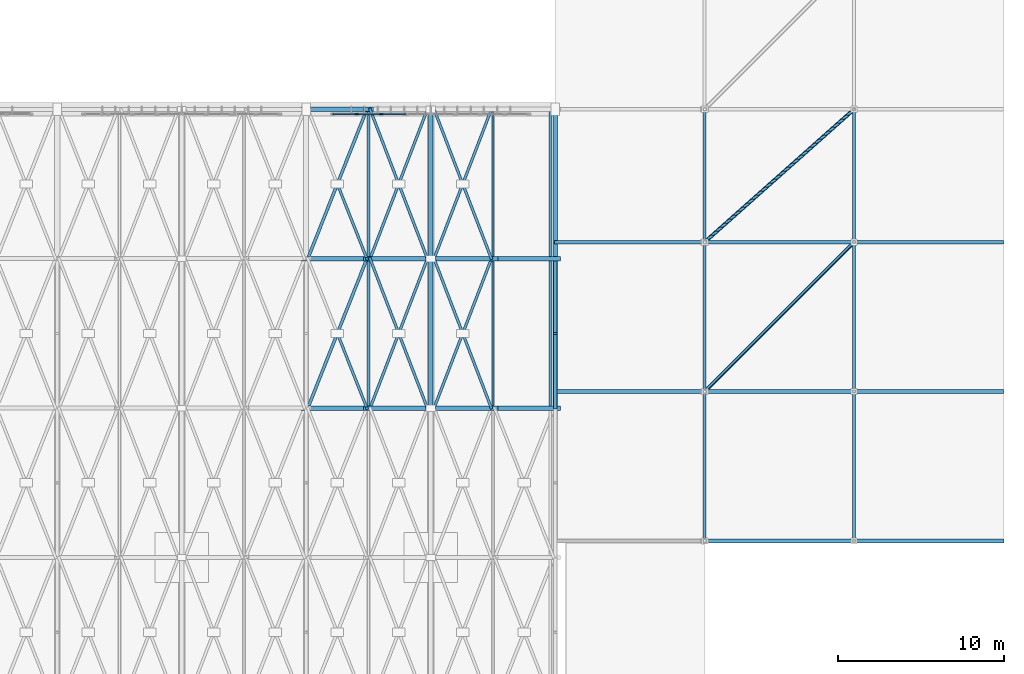
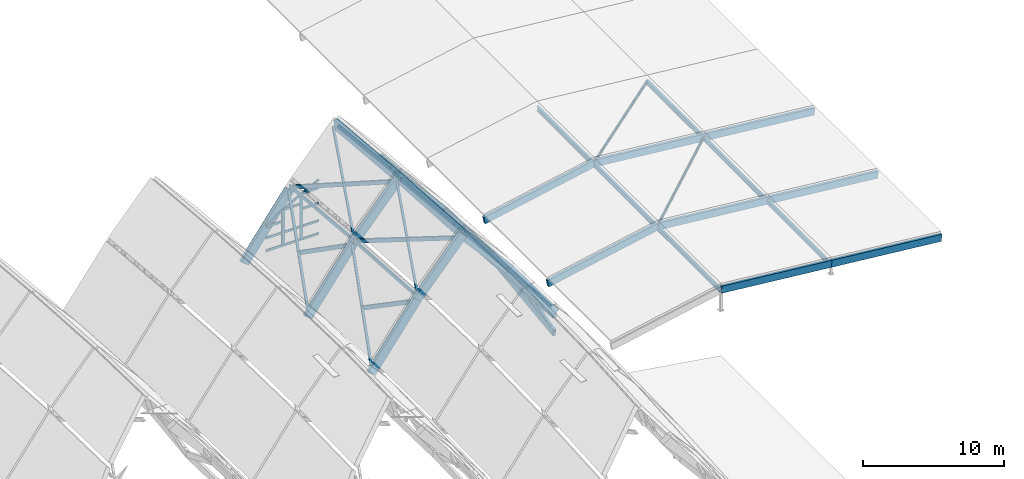
# One storey, part 52 of 93: 41 members, 27 beams, 1 element without a shape of its own.
"""IFC4 building model written with IfcOpenShell, lengths in metres."""

from ifc_helpers import new_model, si_unit, direction, frame, origin, origin_2d, place, context, subcontext, project, spatial, rectangle, hollow_circle, i_section, extrude, material, material_profile, profile_set, type_object, element, aggregate, save


model = new_model("IFC4")

# Units and contexts
model_context = context("Model", 3, precision=1e-05, world=origin(), true_north=direction((0.0, 1.0)))
body_context = subcontext(model_context, "Body", "Model", "MODEL_VIEW")
ifc_project = project(units=[si_unit("LENGTHUNIT", "METRE"), si_unit("AREAUNIT", "SQUARE_METRE"), si_unit("VOLUMEUNIT", "CUBIC_METRE"), si_unit("PLANEANGLEUNIT", "RADIAN"), si_unit("MASSUNIT", "GRAM", prefix="KILO")], contexts=[model_context])

# Site, building, storey
site_placement = place(None, origin())
site = spatial("IfcSite", under=ifc_project, at=site_placement, CompositionType="ELEMENT")
building_placement = place(site_placement, origin())
building = spatial("IfcBuilding", under=site, at=building_placement, Name="Vourika Railside Aquatics Centre", CompositionType="ELEMENT")
storey_placement = place(building_placement, frame((0.0, 0.0, 21.89990234375)))
storey = spatial("IfcBuildingStorey", under=building, at=storey_placement, Name="Roof", CompositionType="ELEMENT", Elevation=21.89990234375)

# Beams
ifc_material_1 = material(Name="Glulam GL32h", Category="wood")
ifc_material_profile_1 = material_profile(ifc_material_1, rectangle(XDim=0.260009765625, YDim=0.760009765625, at=origin_2d()), Name="GL32h 260x760")
ifc_profile_set_1 = profile_set([ifc_material_profile_1], Name="Glulam GL32h")
beam_type_1 = type_object("IfcBeamType", Name="BM-GL-ARCH-260x760", PredefinedType="BEAM", material=ifc_profile_set_1)
beam_1_placement = place(storey_placement, frame((126.0, 48.0, -10.314208984375), z_axis=(0.592401494544, 0.0, 0.805642891896), x_axis=(0.0, 1.0, 0.0)))
element("IfcBeam", 1, at=beam_1_placement, inside=storey, type_object=beam_type_1, Name="Pointed Glulam Vault Arch Rib GAR-0221", PredefinedType="BEAM", context=body_context, shape_type="SweptSolid", body=[
    extrude(rectangle(XDim=0.260009765625, YDim=0.760009765625, at=origin_2d()), origin(), (0.0, 0.0, 1.0), 6.330078125),
])
for number, where, z_axis, x_axis, name in (
    (2, (129.75, 48.0, -5.21435546875), (0.657258623263, 0.0, 0.75366511273), (0.0, 1.0, 0.0), "Pointed Glulam Vault Arch Rib GAR-0222"),
    (3, (133.5, 48.0, -0.914306640625), (0.657258623263, 0.0, -0.75366511273), (0.0, 1.0, 0.0), "Pointed Glulam Vault Arch Rib GAR-0223"),
):
    element("IfcBeam", number, at=place(storey_placement, frame(where, z_axis=z_axis, x_axis=x_axis)), inside=storey, type_object=beam_type_1, Name=name, PredefinedType="BEAM", context=body_context, shape_type="SweptSolid", body=[
        extrude(rectangle(XDim=0.260009765625, YDim=0.760009765625, at=origin_2d()), origin(), (0.0, 0.0, 1.0), 5.70556640625),
    ])
beam_2_placement = place(storey_placement, frame((137.25, 48.0, -5.21435546875), z_axis=(0.592401494544, 0.0, -0.805642891896), x_axis=(0.0, 1.0, 0.0)))
element("IfcBeam", 4, at=beam_2_placement, inside=storey, type_object=beam_type_1, Name="Pointed Glulam Vault Arch Rib GAR-0224", PredefinedType="BEAM", context=body_context, shape_type="SweptSolid", body=[
    extrude(rectangle(XDim=0.260009765625, YDim=0.760009765625, at=origin_2d()), origin(), (0.0, 0.0, 1.0), 6.330078125),
])
beam_3_placement = place(storey_placement, frame((126.0, 57.0, -10.89990234375), z_axis=(0.592383087934, 0.0, 0.805656426233), x_axis=(0.0, 1.0, 0.0)))
element("IfcBeam", 5, at=beam_3_placement, inside=storey, type_object=beam_type_1, Name="Pointed Glulam Vault Arch Rib GAR-0225", PredefinedType="BEAM", context=body_context, shape_type="SweptSolid", body=[
    extrude(rectangle(XDim=0.260009765625, YDim=0.760009765625, at=origin_2d()), origin(), (0.0, 0.0, 1.0), 6.330322265625),
])
for number, where, z_axis, x_axis, name in (
    (6, (129.75, 57.0, -5.7998046875), (0.657279819973, 0.0, 0.753646626912), (0.0, 1.0, 0.0), "Pointed Glulam Vault Arch Rib GAR-0226"),
    (7, (133.5, 57.0, -1.5), (0.657279819973, 0.0, -0.753646626912), (0.0, 1.0, 0.0), "Pointed Glulam Vault Arch Rib GAR-0227"),
):
    element("IfcBeam", number, at=place(storey_placement, frame(where, z_axis=z_axis, x_axis=x_axis)), inside=storey, type_object=beam_type_1, Name=name, PredefinedType="BEAM", context=body_context, shape_type="SweptSolid", body=[
        extrude(rectangle(XDim=0.260009765625, YDim=0.760009765625, at=origin_2d()), origin(), (0.0, 0.0, 1.0), 5.705322265625),
    ])
for number, where, z_axis, x_axis, name in (
    (8, (137.25, 57.0, -5.7998046875), (0.592383087934, 0.0, -0.805656426233), (0.0, 1.0, 0.0), "Pointed Glulam Vault Arch Rib GAR-0228"),
    (9, (126.0, 66.0, -11.699951171875), (0.592383087934, 0.0, 0.805656426233), (0.0, 1.0, 0.0), "Pointed Glulam Vault Arch Rib GAR-0229"),
):
    element("IfcBeam", number, at=place(storey_placement, frame(where, z_axis=z_axis, x_axis=x_axis)), inside=storey, type_object=beam_type_1, Name=name, PredefinedType="BEAM", context=body_context, shape_type="SweptSolid", body=[
        extrude(rectangle(XDim=0.260009765625, YDim=0.760009765625, at=origin_2d()), origin(), (0.0, 0.0, 1.0), 6.330322265625),
    ])
ifc_material_profile_2 = material_profile(ifc_material_1, rectangle(XDim=0.219970703125, YDim=0.60009765625, at=origin_2d()), Name="GL32h 220x600")
ifc_profile_set_2 = profile_set([ifc_material_profile_2], Name="Glulam GL32h")
beam_type_2 = type_object("IfcBeamType", Name="BM-GL-FOY-220x600", PredefinedType="BEAM", material=ifc_profile_set_2)
for number, where, z_axis, x_axis, name in (
    (10, (150.0, 40.0, -6.599853515625), (0.995035586592, 0.0, -0.0995197539), (0.0, 1.0, 0.0), "Civic Foyer Canopy Glulam Rib FCR-0260"),
    (11, (159.0, 40.0, -7.5), (0.995038259148, 0.0, -0.099493029059), (0.0, 1.0, 0.0), "Civic Foyer Canopy Glulam Rib FCR-0261"),
):
    element("IfcBeam", number, at=place(storey_placement, frame(where, z_axis=z_axis, x_axis=x_axis)), inside=storey, type_object=beam_type_2, Name=name, PredefinedType="BEAM", context=body_context, shape_type="SweptSolid", body=[
        extrude(rectangle(XDim=0.219970703125, YDim=0.60009765625, at=origin_2d()), origin(), (0.0, 0.0, 1.0), 9.044921875),
    ])
beam_4_placement = place(storey_placement, frame((141.0, 49.0, -8.39990234375), z_axis=(0.980579652604, 0.0, 0.196121250506), x_axis=(0.0, 1.0, 0.0)))
element("IfcBeam", 12, at=beam_4_placement, inside=storey, type_object=beam_type_2, Name="Civic Foyer Canopy Glulam Rib FCR-0262", PredefinedType="BEAM", context=body_context, shape_type="SweptSolid", body=[
    extrude(rectangle(XDim=0.219970703125, YDim=0.60009765625, at=origin_2d()), origin(), (0.0, 0.0, 1.0), 9.17822265625),
])
for number, where, z_axis, x_axis, name in (
    (13, (150.0, 49.0, -6.599853515625), (0.995035586592, 0.0, -0.0995197539), (0.0, 1.0, 0.0), "Civic Foyer Canopy Glulam Rib FCR-0263"),
    (14, (159.0, 49.0, -7.5), (0.995038259148, 0.0, -0.099493029059), (0.0, 1.0, 0.0), "Civic Foyer Canopy Glulam Rib FCR-0264"),
):
    element("IfcBeam", number, at=place(storey_placement, frame(where, z_axis=z_axis, x_axis=x_axis)), inside=storey, type_object=beam_type_2, Name=name, PredefinedType="BEAM", context=body_context, shape_type="SweptSolid", body=[
        extrude(rectangle(XDim=0.219970703125, YDim=0.60009765625, at=origin_2d()), origin(), (0.0, 0.0, 1.0), 9.044921875),
    ])
beam_5_placement = place(storey_placement, frame((141.0, 58.0, -8.39990234375), z_axis=(0.980579652604, 0.0, 0.196121250506), x_axis=(0.0, 1.0, 0.0)))
element("IfcBeam", 15, at=beam_5_placement, inside=storey, type_object=beam_type_2, Name="Civic Foyer Canopy Glulam Rib FCR-0265", PredefinedType="BEAM", context=body_context, shape_type="SweptSolid", body=[
    extrude(rectangle(XDim=0.219970703125, YDim=0.60009765625, at=origin_2d()), origin(), (0.0, 0.0, 1.0), 9.17822265625),
])
for number, where, z_axis, x_axis, name in (
    (16, (150.0, 58.0, -6.599853515625), (0.995035586592, 0.0, -0.0995197539), (0.0, 1.0, 0.0), "Civic Foyer Canopy Glulam Rib FCR-0266"),
    (17, (159.0, 58.0, -7.5), (0.995038259148, 0.0, -0.099493029059), (0.0, 1.0, 0.0), "Civic Foyer Canopy Glulam Rib FCR-0267"),
):
    element("IfcBeam", number, at=place(storey_placement, frame(where, z_axis=z_axis, x_axis=x_axis)), inside=storey, type_object=beam_type_2, Name=name, PredefinedType="BEAM", context=body_context, shape_type="SweptSolid", body=[
        extrude(rectangle(XDim=0.219970703125, YDim=0.60009765625, at=origin_2d()), origin(), (0.0, 0.0, 1.0), 9.044921875),
    ])
ifc_material_profile_3 = material_profile(ifc_material_1, rectangle(XDim=0.280029296875, YDim=0.840087890625, at=origin_2d()), Name="GL32h 280x840")
ifc_profile_set_3 = profile_set([ifc_material_profile_3], Name="Glulam GL32h")
beam_type_3 = type_object("IfcBeamType", Name="BM-GL-RIDGE-280x840", PredefinedType="BEAM", material=ifc_profile_set_3)
beam_6_placement = place(storey_placement, frame((133.5, 48.0, -0.914306640625), z_axis=(0.0, 0.997889191565, -0.064939674766), x_axis=(-1.0, 0.0, 0.0)))
element("IfcBeam", 18, at=beam_6_placement, inside=storey, type_object=beam_type_3, Name="Vault Pointed Ridge Beam GRB-0237", PredefinedType="BEAM", context=body_context, shape_type="SweptSolid", body=[
    extrude(rectangle(XDim=0.280029296875, YDim=0.840087890625, at=origin_2d()), origin(), (0.0, 0.0, 1.0), 9.01904296875),
])
beam_7_placement = place(storey_placement, frame((133.5, 57.0, -1.5), z_axis=(0.0, 0.996074546839, -0.088518343518), x_axis=(-1.0, 0.0, 0.0)))
element("IfcBeam", 19, at=beam_7_placement, inside=storey, type_object=beam_type_3, Name="Vault Pointed Ridge Beam GRB-0238", PredefinedType="BEAM", context=body_context, shape_type="SweptSolid", body=[
    extrude(rectangle(XDim=0.280029296875, YDim=0.840087890625, at=origin_2d()), origin(), (0.0, 0.0, 1.0), 9.035400390625),
])
ifc_material_profile_4 = material_profile(ifc_material_1, rectangle(XDim=0.300048828125, YDim=0.89990234375, at=origin_2d()), Name="GL32h 300x900")
ifc_profile_set_4 = profile_set([ifc_material_profile_4], Name="Glulam GL32h")
beam_type_4 = type_object("IfcBeamType", Name="BM-GL-VAL-300x900", PredefinedType="BEAM", material=ifc_profile_set_4)
beam_8_placement = place(storey_placement, frame((141.0, 48.0, -10.314208984375), z_axis=(0.0, 0.997889191565, -0.064939674766), x_axis=(-1.0, 0.0, 0.0)))
element("IfcBeam", 20, at=beam_8_placement, inside=storey, type_object=beam_type_4, Name="Vault Valley Arch Rib VTR-047", PredefinedType="BEAM", context=body_context, shape_type="SweptSolid", body=[
    extrude(rectangle(XDim=0.300048828125, YDim=0.89990234375, at=origin_2d()), origin(), (0.0, 0.0, 1.0), 9.01904296875),
])
beam_9_placement = place(storey_placement, frame((141.0, 57.0, -10.89990234375), z_axis=(0.0, 0.996072164085, -0.088545151956), x_axis=(-1.0, 0.0, 0.0)))
element("IfcBeam", 21, at=beam_9_placement, inside=storey, type_object=beam_type_4, Name="Vault Valley Arch Rib VTR-048", PredefinedType="BEAM", context=body_context, shape_type="SweptSolid", body=[
    extrude(rectangle(XDim=0.300048828125, YDim=0.89990234375, at=origin_2d()), origin(), (0.0, 0.0, 1.0), 9.035400390625),
])
ifc_material_2 = material(Name="Steel S355J2", Category="steel")
ifc_material_profile_5 = material_profile(ifc_material_2, i_section(OverallWidth=0.179931640625, OverallDepth=0.39990234375, WebThickness=0.008544921875, FlangeThickness=0.013427734375, at=origin_2d()), Name="IPE 400")
ifc_profile_set_5 = profile_set([ifc_material_profile_5], Name="Steel S355J2")
beam_type_5 = type_object("IfcBeamType", Name="BM-STL-IPE400", PredefinedType="BEAM", material=ifc_profile_set_5)
for number, where, z_axis, x_axis, name in (
    (22, (150.0, 40.0, -6.699951171875), (0.0, 1.0, 0.0), (-1.0, 0.0, 0.0), "Foyer Canopy Longitudinal Purlin Beam FLB-150-1"),
    (23, (159.0, 40.0, -7.599853515625), (0.0, 1.0, 0.0), (-1.0, 0.0, 0.0), "Foyer Canopy Longitudinal Purlin Beam FLB-159-1"),
    (24, (150.0, 49.0, -6.699951171875), (0.0, 1.0, 0.0), (-1.0, 0.0, 0.0), "Foyer Canopy Longitudinal Purlin Beam FLB-150-2"),
    (25, (159.0, 49.0, -7.599853515625), (0.0, 1.0, 0.0), (-1.0, 0.0, 0.0), "Foyer Canopy Longitudinal Purlin Beam FLB-159-2"),
):
    element("IfcBeam", number, at=place(storey_placement, frame(where, z_axis=z_axis, x_axis=x_axis)), inside=storey, type_object=beam_type_5, Name=name, PredefinedType="BEAM", context=body_context, shape_type="SweptSolid", body=[
        extrude(i_section(OverallWidth=0.179931640625, OverallDepth=0.39990234375, WebThickness=0.008544921875, FlangeThickness=0.013427734375, at=origin_2d()), origin(), (0.0, 0.0, 1.0), 9.0),
    ])
for number, where, z_axis, x_axis, name in (
    (26, (150.0, 58.0, -6.699951171875), (0.0, 1.0, 0.0), (-1.0, 0.0, 0.0), "Foyer Canopy Longitudinal Purlin Beam FLB-150-3"),
    (27, (159.0, 58.0, -7.599853515625), (0.0, 1.0, 0.0), (-1.0, 0.0, 0.0), "Foyer Canopy Longitudinal Purlin Beam FLB-159-3"),
):
    element("IfcBeam", number, at=place(storey_placement, frame(where, z_axis=z_axis, x_axis=x_axis)), inside=storey, type_object=beam_type_5, Name=name, PredefinedType="BEAM", context=body_context, shape_type="SweptSolid", body=[
        extrude(i_section(OverallWidth=0.179931640625, OverallDepth=0.39990234375, WebThickness=0.008544921875, FlangeThickness=0.013427734375, at=origin_2d()), origin(), (0.0, 0.0, 1.0), 8.0),
    ])

# Curtain wall, members
ifc_material_3 = material(Name="Anodized thermally broken aluminium", Category="aluminium")
curtain_wall_type = type_object("IfcCurtainWallType", Name="CW-VLTN1", PredefinedType="NOTDEFINED", material=ifc_material_3)
curtain_wall_placement = place(storey_placement, origin())
curtain_wall = element("IfcCurtainWall", 28, at=curtain_wall_placement, inside=storey, type_object=curtain_wall_type, Name="North Courtyard Pointed-Arch Curtain Wall Bay 7", PredefinedType="NOTDEFINED")
ifc_material_4 = material(Name="Anodized aluminium mullion", Category="aluminium")
ifc_material_profile_6 = material_profile(ifc_material_4, rectangle(XDim=0.0849609375, YDim=0.25, at=origin_2d()), Name="ALU-M 85x250")
ifc_profile_set_6 = profile_set([ifc_material_profile_6], Name="Anodized aluminium mullion")
member_type_1 = type_object("IfcMemberType", Name="CWM-VLTN1", PredefinedType="MULLION", material=ifc_profile_set_6)
member_1_placement = place(storey_placement, frame((130.52490234375, 65.719970703125, -11.099853515625), z_axis=(0.0, 0.0, 1.0), x_axis=(0.0, -1.0, 0.0)))
member_1 = element("IfcMember", 29, at=member_1_placement, type_object=member_type_1, Name="CW01 arch mullion 7", PredefinedType="MULLION", context=body_context, shape_type="SweptSolid", body=[
    extrude(rectangle(XDim=0.0849609375, YDim=0.25, at=origin_2d()), origin(), (0.0, 0.0, 1.0), 4.009033203125),
])
member_2_placement = place(storey_placement, frame((129.03759765625, 65.719970703125, -11.099853515625), z_axis=(0.0, 0.0, 1.0), x_axis=(0.0, -1.0, 0.0)))
member_2 = element("IfcMember", 30, at=member_2_placement, type_object=member_type_1, Name="CW01 arch mullion 8", PredefinedType="MULLION", context=body_context, shape_type="SweptSolid", body=[
    extrude(rectangle(XDim=0.0849609375, YDim=0.25, at=origin_2d()), origin(), (0.0, 0.0, 1.0), 3.1259765625),
])
ifc_material_5 = material(Name="Anodized aluminium transom", Category="aluminium")
ifc_material_profile_7 = material_profile(ifc_material_5, rectangle(XDim=0.0849609375, YDim=0.195068359375, at=origin_2d()), Name="ALU-T 85x195")
ifc_profile_set_7 = profile_set([ifc_material_profile_7], Name="Anodized aluminium transom")
member_type_2 = type_object("IfcMemberType", Name="CWT-VLTN1", PredefinedType="USERDEFINED", material=ifc_profile_set_7)
member_3_placement = place(storey_placement, frame((131.969970703125, 65.719970703125, -11.057373046875), z_axis=(-1.0, 0.0, 0.0), x_axis=(0.0, -1.0, 0.0)))
member_3 = element("IfcMember", 31, at=member_3_placement, type_object=member_type_2, Name="CW01 transom 6.1", ObjectType="TRANSOM", PredefinedType="USERDEFINED", context=body_context, shape_type="SweptSolid", body=[
    extrude(rectangle(XDim=0.0849609375, YDim=0.195068359375, at=origin_2d()), origin(), (0.0, 0.0, 1.0), 1.402587890625),
])
member_4_placement = place(storey_placement, frame((131.969970703125, 65.719970703125, -9.949951171875), z_axis=(-1.0, 0.0, 0.0), x_axis=(0.0, -1.0, 0.0)))
member_4 = element("IfcMember", 32, at=member_4_placement, type_object=member_type_2, Name="CW01 transom 6.2", ObjectType="TRANSOM", PredefinedType="USERDEFINED", context=body_context, shape_type="SweptSolid", body=[
    extrude(rectangle(XDim=0.0849609375, YDim=0.195068359375, at=origin_2d()), origin(), (0.0, 0.0, 1.0), 1.402587890625),
])
member_5_placement = place(storey_placement, frame((131.969970703125, 65.719970703125, -8.449951171875), z_axis=(-1.0, 0.0, 0.0), x_axis=(0.0, -1.0, 0.0)))
member_5 = element("IfcMember", 33, at=member_5_placement, type_object=member_type_2, Name="CW01 transom 6.3", ObjectType="TRANSOM", PredefinedType="USERDEFINED", context=body_context, shape_type="SweptSolid", body=[
    extrude(rectangle(XDim=0.0849609375, YDim=0.195068359375, at=origin_2d()), origin(), (0.0, 0.0, 1.0), 1.402587890625),
])
member_6_placement = place(storey_placement, frame((131.969970703125, 65.719970703125, -7.109375), z_axis=(-1.0, 0.0, 0.0), x_axis=(0.0, -1.0, 0.0)))
member_6 = element("IfcMember", 34, at=member_6_placement, type_object=member_type_2, Name="CW01 transom 6.4", ObjectType="TRANSOM", PredefinedType="USERDEFINED", context=body_context, shape_type="SweptSolid", body=[
    extrude(rectangle(XDim=0.0849609375, YDim=0.195068359375, at=origin_2d()), origin(), (0.0, 0.0, 1.0), 1.402587890625),
])
member_7_placement = place(storey_placement, frame((131.969970703125, 65.719970703125, -6.410400390625), z_axis=(-0.895018412541, 0.0, -0.44602919323), x_axis=(0.0, -1.0, 0.0)))
member_7 = element("IfcMember", 35, at=member_7_placement, type_object=member_type_2, Name="CW01 arch chord transom 6", ObjectType="TRANSOM", PredefinedType="USERDEFINED", context=body_context, shape_type="SweptSolid", body=[
    extrude(rectangle(XDim=0.0849609375, YDim=0.195068359375, at=origin_2d()), origin(), (0.0, 0.0, 1.0), 1.567138671875),
])
member_8_placement = place(storey_placement, frame((130.482421875, 65.719970703125, -11.057373046875), z_axis=(-1.0, 0.0, 0.0), x_axis=(0.0, -1.0, 0.0)))
member_8 = element("IfcMember", 36, at=member_8_placement, type_object=member_type_2, Name="CW01 transom 7.1", ObjectType="TRANSOM", PredefinedType="USERDEFINED", context=body_context, shape_type="SweptSolid", body=[
    extrude(rectangle(XDim=0.0849609375, YDim=0.195068359375, at=origin_2d()), origin(), (0.0, 0.0, 1.0), 1.40234375),
])
member_9_placement = place(storey_placement, frame((130.482421875, 65.719970703125, -9.949951171875), z_axis=(-1.0, 0.0, 0.0), x_axis=(0.0, -1.0, 0.0)))
member_9 = element("IfcMember", 37, at=member_9_placement, type_object=member_type_2, Name="CW01 transom 7.2", ObjectType="TRANSOM", PredefinedType="USERDEFINED", context=body_context, shape_type="SweptSolid", body=[
    extrude(rectangle(XDim=0.0849609375, YDim=0.195068359375, at=origin_2d()), origin(), (0.0, 0.0, 1.0), 1.40234375),
])
member_10_placement = place(storey_placement, frame((130.482421875, 65.719970703125, -7.989501953125), z_axis=(-1.0, 0.0, 0.0), x_axis=(0.0, -1.0, 0.0)))
member_10 = element("IfcMember", 38, at=member_10_placement, type_object=member_type_2, Name="CW01 transom 7.3", ObjectType="TRANSOM", PredefinedType="USERDEFINED", context=body_context, shape_type="SweptSolid", body=[
    extrude(rectangle(XDim=0.0849609375, YDim=0.195068359375, at=origin_2d()), origin(), (0.0, 0.0, 1.0), 1.40234375),
])
member_11_placement = place(storey_placement, frame((130.482421875, 65.719970703125, -7.156494140625), z_axis=(-0.859756166629, 0.0, -0.510704742433), x_axis=(0.0, -1.0, 0.0)))
member_11 = element("IfcMember", 39, at=member_11_placement, type_object=member_type_2, Name="CW01 arch chord transom 7", ObjectType="TRANSOM", PredefinedType="USERDEFINED", context=body_context, shape_type="SweptSolid", body=[
    extrude(rectangle(XDim=0.0849609375, YDim=0.195068359375, at=origin_2d()), origin(), (0.0, 0.0, 1.0), 1.631103515625),
])
member_12_placement = place(storey_placement, frame((128.9951171875, 65.719970703125, -11.057373046875), z_axis=(-1.0, 0.0, 0.0), x_axis=(0.0, -1.0, 0.0)))
member_12 = element("IfcMember", 40, at=member_12_placement, type_object=member_type_2, Name="CW01 transom 8.1", ObjectType="TRANSOM", PredefinedType="USERDEFINED", context=body_context, shape_type="SweptSolid", body=[
    extrude(rectangle(XDim=0.0849609375, YDim=0.195068359375, at=origin_2d()), origin(), (0.0, 0.0, 1.0), 1.360107421875),
])
member_13_placement = place(storey_placement, frame((128.9951171875, 65.719970703125, -9.949951171875), z_axis=(-1.0, 0.0, 0.0), x_axis=(0.0, -1.0, 0.0)))
member_13 = element("IfcMember", 41, at=member_13_placement, type_object=member_type_2, Name="CW01 transom 8.2", ObjectType="TRANSOM", PredefinedType="USERDEFINED", context=body_context, shape_type="SweptSolid", body=[
    extrude(rectangle(XDim=0.0849609375, YDim=0.195068359375, at=origin_2d()), origin(), (0.0, 0.0, 1.0), 1.360107421875),
])
member_14_placement = place(storey_placement, frame((128.9951171875, 65.719970703125, -8.98046875), z_axis=(-1.0, 0.0, 0.0), x_axis=(0.0, -1.0, 0.0)))
member_14 = element("IfcMember", 42, at=member_14_placement, type_object=member_type_2, Name="CW01 transom 8.3", ObjectType="TRANSOM", PredefinedType="USERDEFINED", context=body_context, shape_type="SweptSolid", body=[
    extrude(rectangle(XDim=0.0849609375, YDim=0.195068359375, at=origin_2d()), origin(), (0.0, 0.0, 1.0), 1.360107421875),
])
member_15_placement = place(storey_placement, frame((128.9951171875, 65.719970703125, -8.04443359375), z_axis=(-0.823770019809, 0.0, -0.566924117025), x_axis=(0.0, -1.0, 0.0)))
member_15 = element("IfcMember", 43, at=member_15_placement, type_object=member_type_2, Name="CW01 arch chord transom 8", ObjectType="TRANSOM", PredefinedType="USERDEFINED", context=body_context, shape_type="SweptSolid", body=[
    extrude(rectangle(XDim=0.0849609375, YDim=0.195068359375, at=origin_2d()), origin(), (0.0, 0.0, 1.0), 1.651123046875),
])
aggregate(curtain_wall, [member_1, member_2, member_3, member_4, member_5, member_6, member_7, member_8, member_9, member_10, member_11, member_12, member_13, member_14, member_15])

# Members
ifc_material_profile_8 = material_profile(ifc_material_1, rectangle(XDim=0.219970703125, YDim=0.60009765625, at=origin_2d()), Name="GL32h 220x600")
ifc_profile_set_8 = profile_set([ifc_material_profile_8], Name="Glulam GL32h")
member_type_3 = type_object("IfcMemberType", Name="MEM-GL-CHORD", PredefinedType="CHORD", material=ifc_profile_set_8)
member_16_placement = place(storey_placement, frame((141.0, 48.0, -12.064208984375), z_axis=(0.0, 0.991735627786, 0.128298264131), x_axis=(-1.0, 0.0, 0.0)))
element("IfcMember", 44, at=member_16_placement, inside=storey, type_object=member_type_3, Name="Valley Arch Truss Bottom Chord VBC-047", PredefinedType="CHORD", context=body_context, shape_type="SweptSolid", body=[
    extrude(rectangle(XDim=0.219970703125, YDim=0.60009765625, at=origin_2d()), origin(), (0.0, 0.0, 1.0), 9.074951171875),
])
ifc_material_6 = material(Name="Glulam GL28h", Category="wood")
ifc_material_profile_9 = material_profile(ifc_material_6, rectangle(XDim=0.179931640625, YDim=0.360107421875, at=origin_2d()), Name="GL28h 180x360")
ifc_profile_set_9 = profile_set([ifc_material_profile_9], Name="Glulam GL28h")
member_type_4 = type_object("IfcMemberType", Name="MEM-GL-LATH1", PredefinedType="BRACE", material=ifc_profile_set_9)
member_17_placement = place(storey_placement, frame((126.094970703125, 48.0, -10.189453125), z_axis=(0.336558619113, 0.85083643773, 0.403491824121), x_axis=(-0.929892910811, 0.367830360933, 0.0)))
element("IfcMember", 45, at=member_17_placement, inside=storey, type_object=member_type_4, Name="Gridshell Continuous Diagonal Lath GLA-0398", PredefinedType="BRACE", context=body_context, shape_type="SweptSolid", body=[
    extrude(rectangle(XDim=0.179931640625, YDim=0.360107421875, at=origin_2d()), origin(), (0.0, 0.0, 1.0), 10.577880859375),
])
member_18_placement = place(storey_placement, frame((126.094970703125, 57.0, -10.7783203125), z_axis=(0.339219023139, 0.857562067548, 0.386675257346), x_axis=(-0.929892910811, 0.367830360933, 0.0)))
element("IfcMember", 46, at=member_18_placement, inside=storey, type_object=member_type_4, Name="Gridshell Continuous Diagonal Lath GLA-0407", PredefinedType="BRACE", context=body_context, shape_type="SweptSolid", body=[
    extrude(rectangle(XDim=0.179931640625, YDim=0.360107421875, at=origin_2d()), origin(), (0.0, 0.0, 1.0), 10.494873046875),
])
ifc_material_profile_10 = material_profile(ifc_material_6, rectangle(XDim=0.159912109375, YDim=0.320068359375, at=origin_2d()), Name="GL28h 160x320")
ifc_profile_set_10 = profile_set([ifc_material_profile_10], Name="Glulam GL28h")
member_type_5 = type_object("IfcMemberType", Name="MEM-GL-LATH2", PredefinedType="BRACE", material=ifc_profile_set_10)
member_19_placement = place(storey_placement, frame((129.655029296875, 48.0, -5.347900390625), z_axis=(-0.321004024702, 0.811513672104, -0.488264248244), x_axis=(-0.929892910811, -0.367830360933, 0.0)))
element("IfcMember", 47, at=member_19_placement, inside=storey, type_object=member_type_5, Name="Gridshell Split Counter Lath GLB1-0399", PredefinedType="BRACE", context=body_context, shape_type="SweptSolid", body=[
    extrude(rectangle(XDim=0.159912109375, YDim=0.320068359375, at=origin_2d()), origin(), (0.0, 0.0, 1.0), 5.545166015625),
])
member_20_placement = place(storey_placement, frame((129.844970703125, 48.0, -5.10986328125), z_axis=(0.338120523205, 0.8807571345, 0.331574097021), x_axis=(-0.933569951957, 0.358395235463, 0.0)))
element("IfcMember", 48, at=member_20_placement, inside=storey, type_object=member_type_5, Name="Gridshell Continuous Diagonal Lath GLA-0400", PredefinedType="BRACE", context=body_context, shape_type="SweptSolid", body=[
    extrude(rectangle(XDim=0.159912109375, YDim=0.320068359375, at=origin_2d()), origin(), (0.0, 0.0, 1.0), 10.218505859375),
])
member_21_placement = place(storey_placement, frame((133.300048828125, 48.0, -1.14794921875), z_axis=(-0.324295935921, 0.844745999277, -0.425718619102), x_axis=(-0.933569951957, -0.358395235463, 0.0)))
element("IfcMember", 49, at=member_21_placement, inside=storey, type_object=member_type_5, Name="Gridshell Split Counter Lath GLB1-0401", PredefinedType="BRACE", context=body_context, shape_type="SweptSolid", body=[
    extrude(rectangle(XDim=0.159912109375, YDim=0.320068359375, at=origin_2d()), origin(), (0.0, 0.0, 1.0), 5.3271484375),
])
member_22_placement = place(storey_placement, frame((131.572509765625, 52.5, -3.415771484375), z_axis=(-0.324302263056, 0.84476248059, -0.425681093735), x_axis=(-0.933569951957, -0.358395235463, 0.0)))
element("IfcMember", 50, at=member_22_placement, inside=storey, type_object=member_type_5, Name="Gridshell Split Counter Lath GLB2-0401", PredefinedType="BRACE", context=body_context, shape_type="SweptSolid", body=[
    extrude(rectangle(XDim=0.159912109375, YDim=0.320068359375, at=origin_2d()), origin(), (0.0, 0.0, 1.0), 5.326904296875),
])
member_23_placement = place(storey_placement, frame((133.699951171875, 48.0, -1.14794921875), z_axis=(0.324299099527, 0.844754240035, -0.425699856693), x_axis=(-0.933569951957, 0.358395235463, 0.0)))
element("IfcMember", 51, at=member_23_placement, inside=storey, type_object=member_type_5, Name="Gridshell Continuous Diagonal Lath GLA-0402", PredefinedType="BRACE", context=body_context, shape_type="SweptSolid", body=[
    extrude(rectangle(XDim=0.159912109375, YDim=0.320068359375, at=origin_2d()), origin(), (0.0, 0.0, 1.0), 10.654052734375),
])
for number, where, z_axis, x_axis, name in (
    (52, (137.155029296875, 48.0, -5.10986328125), (-0.338120523205, 0.8807571345, 0.331574097021), (-0.933569951957, -0.358395235463, 0.0), "Gridshell Split Counter Lath GLB1-0403"),
    (53, (135.427490234375, 52.5, -3.415771484375), (-0.338120523205, 0.8807571345, 0.331574097021), (-0.933569951957, -0.358395235463, 0.0), "Gridshell Split Counter Lath GLB2-0403"),
):
    element("IfcMember", number, at=place(storey_placement, frame(where, z_axis=z_axis, x_axis=x_axis)), inside=storey, type_object=member_type_5, Name=name, PredefinedType="BRACE", context=body_context, shape_type="SweptSolid", body=[
        extrude(rectangle(XDim=0.159912109375, YDim=0.320068359375, at=origin_2d()), origin(), (0.0, 0.0, 1.0), 5.109130859375),
    ])
member_24_placement = place(storey_placement, frame((129.655029296875, 57.0, -5.936767578125), z_axis=(-0.318014350334, 0.803955630964, -0.502515886737), x_axis=(-0.929892910811, -0.367830360933, 0.0)))
element("IfcMember", 54, at=member_24_placement, inside=storey, type_object=member_type_5, Name="Gridshell Split Counter Lath GLB1-0408", PredefinedType="BRACE", context=body_context, shape_type="SweptSolid", body=[
    extrude(rectangle(XDim=0.159912109375, YDim=0.320068359375, at=origin_2d()), origin(), (0.0, 0.0, 1.0), 5.597412109375),
])
member_25_placement = place(storey_placement, frame((129.844970703125, 57.0, -5.698486328125), z_axis=(0.340377647674, 0.886636631138, 0.313079129436), x_axis=(-0.933569951957, 0.358395235463, 0.0)))
element("IfcMember", 55, at=member_25_placement, inside=storey, type_object=member_type_5, Name="Gridshell Continuous Diagonal Lath GLA-0409", PredefinedType="BRACE", context=body_context, shape_type="SweptSolid", body=[
    extrude(rectangle(XDim=0.159912109375, YDim=0.320068359375, at=origin_2d()), origin(), (0.0, 0.0, 1.0), 10.150634765625),
])
for number, where, z_axis, x_axis, name in (
    (56, (133.300048828125, 57.0, -1.73681640625), (-0.32154756466, 0.837586872782, -0.441650760448), (-0.933569951957, -0.358395235463, 0.0), "Gridshell Split Counter Lath GLB1-0410"),
    (57, (131.572509765625, 61.5, -4.109619140625), (-0.321554017818, 0.837603682367, -0.441614181057), (-0.933569951957, -0.358395235463, 0.0), "Gridshell Split Counter Lath GLB2-0410"),
):
    element("IfcMember", number, at=place(storey_placement, frame(where, z_axis=z_axis, x_axis=x_axis)), inside=storey, type_object=member_type_5, Name=name, PredefinedType="BRACE", context=body_context, shape_type="SweptSolid", body=[
        extrude(rectangle(XDim=0.159912109375, YDim=0.320068359375, at=origin_2d()), origin(), (0.0, 0.0, 1.0), 5.37255859375),
    ])
member_26_placement = place(storey_placement, frame((133.699951171875, 57.0, -1.73681640625), z_axis=(0.321550791273, 0.837595277664, -0.441632471028), x_axis=(-0.933569951957, 0.358395235463, 0.0)))
element("IfcMember", 58, at=member_26_placement, inside=storey, type_object=member_type_5, Name="Gridshell Continuous Diagonal Lath GLA-0411", PredefinedType="BRACE", context=body_context, shape_type="SweptSolid", body=[
    extrude(rectangle(XDim=0.159912109375, YDim=0.320068359375, at=origin_2d()), origin(), (0.0, 0.0, 1.0), 10.7451171875),
])
for number, where, z_axis, x_axis, name in (
    (59, (137.155029296875, 57.0, -5.698486328125), (-0.340380210662, 0.886643307367, 0.313057435131), (-0.933569951957, -0.358395235463, 0.0), "Gridshell Split Counter Lath GLB1-0412"),
    (60, (135.427490234375, 61.5, -4.109619140625), (-0.340375084547, 0.886629954547, 0.31310082325), (-0.933569951957, -0.358395235463, 0.0), "Gridshell Split Counter Lath GLB2-0412"),
):
    element("IfcMember", number, at=place(storey_placement, frame(where, z_axis=z_axis, x_axis=x_axis)), inside=storey, type_object=member_type_5, Name=name, PredefinedType="BRACE", context=body_context, shape_type="SweptSolid", body=[
        extrude(rectangle(XDim=0.159912109375, YDim=0.320068359375, at=origin_2d()), origin(), (0.0, 0.0, 1.0), 5.075439453125),
    ])
ifc_material_profile_11 = material_profile(ifc_material_6, rectangle(XDim=0.139892578125, YDim=0.280029296875, at=origin_2d()), Name="GL28h 140x280")
ifc_profile_set_11 = profile_set([ifc_material_profile_11], Name="Glulam GL28h")
member_type_6 = type_object("IfcMemberType", Name="MEM-GL-PURLIN", PredefinedType="PURLIN", material=ifc_profile_set_11)
for number, where, z_axis, x_axis, name in (
    (61, (129.75, 48.0, -4.9443359375), (0.0, 0.997890945376, -0.064912719374), (-1.0, 0.0, 0.0), "Vault Timber Purlin GTP-0395"),
    (62, (137.25, 48.0, -4.9443359375), (0.0, 0.997890945376, -0.064912719374), (-1.0, 0.0, 0.0), "Vault Timber Purlin GTP-0396"),
    (63, (140.699951171875, 48.0, -9.63623046875), (0.0, 0.997889191565, -0.064939674766), (-1.0, 0.0, 0.0), "Vault Timber Purlin GTP-0397"),
):
    element("IfcMember", number, at=place(storey_placement, frame(where, z_axis=z_axis, x_axis=x_axis)), inside=storey, type_object=member_type_6, Name=name, PredefinedType="PURLIN", context=body_context, shape_type="SweptSolid", body=[
        extrude(rectangle(XDim=0.139892578125, YDim=0.280029296875, at=origin_2d()), origin(), (0.0, 0.0, 1.0), 9.01904296875),
    ])
for number, where, z_axis, x_axis, name in (
    (64, (129.75, 57.0, -5.52978515625), (0.0, 0.996072164085, -0.088545151956), (-1.0, 0.0, 0.0), "Vault Timber Purlin GTP-0404"),
    (65, (137.25, 57.0, -5.52978515625), (0.0, 0.996072164085, -0.088545151956), (-1.0, 0.0, 0.0), "Vault Timber Purlin GTP-0405"),
    (66, (140.699951171875, 57.0, -10.221923828125), (0.0, 0.996072164085, -0.088545151956), (-1.0, 0.0, 0.0), "Vault Timber Purlin GTP-0406"),
):
    element("IfcMember", number, at=place(storey_placement, frame(where, z_axis=z_axis, x_axis=x_axis)), inside=storey, type_object=member_type_6, Name=name, PredefinedType="PURLIN", context=body_context, shape_type="SweptSolid", body=[
        extrude(rectangle(XDim=0.139892578125, YDim=0.280029296875, at=origin_2d()), origin(), (0.0, 0.0, 1.0), 9.035400390625),
    ])
ifc_material_profile_12 = material_profile(ifc_material_6, rectangle(XDim=0.199951171875, YDim=0.39990234375, at=origin_2d()), Name="GL28h 200x400")
ifc_profile_set_12 = profile_set([ifc_material_profile_12], Name="Glulam GL28h")
member_type_7 = type_object("IfcMemberType", Name="MEM-GL-STRUT1", PredefinedType="STRUT", material=ifc_profile_set_12)
member_27_placement = place(storey_placement, frame((141.0, 48.0, -12.064208984375), z_axis=(0.0, 0.95137335537, 0.308040157598), x_axis=(-1.0, 0.0, 0.0)))
element("IfcMember", 67, at=member_27_placement, inside=storey, type_object=member_type_7, Name="Valley Truss Web Strut VWA-047", PredefinedType="STRUT", context=body_context, shape_type="SweptSolid", body=[
    extrude(rectangle(XDim=0.199951171875, YDim=0.39990234375, at=origin_2d()), origin(), (0.0, 0.0, 1.0), 4.72998046875),
])
ifc_material_profile_13 = material_profile(ifc_material_2, hollow_circle(Radius=0.109619140625, WallThickness=0.010009765625, at=origin_2d()), Name="CHS 219.1x10")
ifc_profile_set_13 = profile_set([ifc_material_profile_13], Name="Steel S355J2")
member_type_8 = type_object("IfcMemberType", Name="MEM-STL-CHS219", PredefinedType="BRACE", material=ifc_profile_set_13)
member_28_placement = place(storey_placement, frame((150.0, 49.0, -6.599853515625), z_axis=(0.705345044657, 0.705345044657, -0.070545984691), x_axis=(-0.707106781187, 0.707106781187, 0.0)))
element("IfcMember", 68, at=member_28_placement, inside=storey, type_object=member_type_8, Name="Foyer Canopy Steel Wind Brace FWB-0429", PredefinedType="BRACE", context=body_context, shape_type="SweptSolid", body=[
    extrude(hollow_circle(Radius=0.109619140625, WallThickness=0.010009765625, at=origin_2d()), origin(), (0.0, 0.0, 1.0), 12.759765625),
])
member_29_placement = place(storey_placement, frame((150.0, 58.0, -6.599853515625), z_axis=(0.745329758956, 0.662515341294, -0.074545106914), x_axis=(-0.66436383883, 0.747409318684, 0.0)))
element("IfcMember", 69, at=member_29_placement, inside=storey, type_object=member_type_8, Name="Foyer Canopy Steel Wind Brace FWB-0430", PredefinedType="BRACE", context=body_context, shape_type="SweptSolid", body=[
    extrude(hollow_circle(Radius=0.109619140625, WallThickness=0.010009765625, at=origin_2d()), origin(), (0.0, 0.0, 1.0), 12.0751953125),
])

save(model, "model.ifc")
